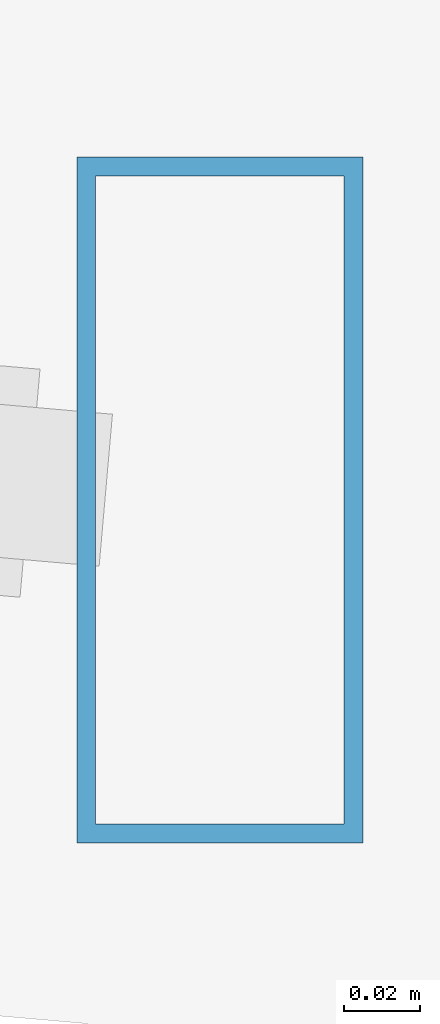
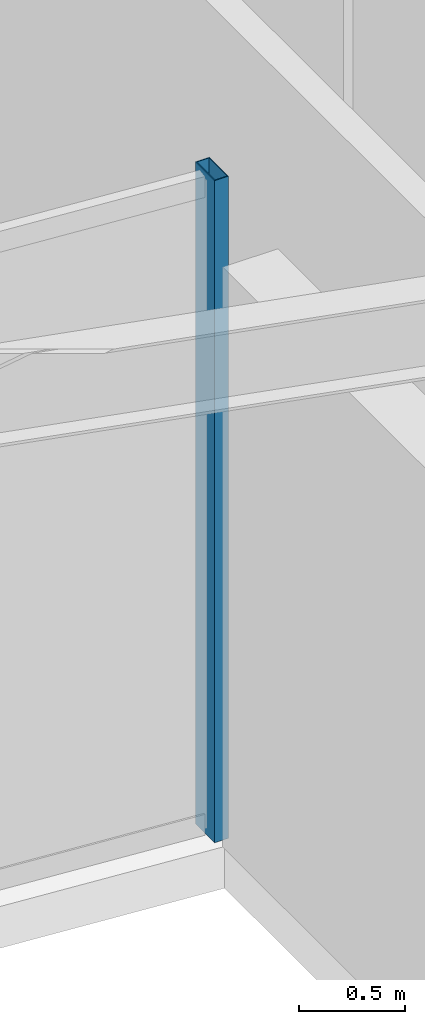
# One storey, part 4 of 25: 1 member, 1 element without a shape of its own.
"""IFC4 building model written with IfcOpenShell, lengths in metres."""

from ifc_helpers import new_model, si_unit, direction, frame, origin, origin_2d, place, context, subcontext, project, spatial, hollow_rectangle, extrude, material, layer, layer_set, material_profile, profile_set, type_object, element, aggregate, save


model = new_model("IFC4")

# Units and contexts
model_context = context("Model", 3, precision=1e-05, world=origin(), true_north=direction((0.0, 1.0)))
body_context = subcontext(model_context, "Body", "Model", "MODEL_VIEW")
ifc_project = project(units=[si_unit("LENGTHUNIT", "METRE"), si_unit("AREAUNIT", "SQUARE_METRE"), si_unit("VOLUMEUNIT", "CUBIC_METRE"), si_unit("PLANEANGLEUNIT", "RADIAN"), si_unit("MASSUNIT", "GRAM", prefix="KILO")], contexts=[model_context])

# Site, building, storey
site_placement = place(None, origin())
site = spatial("IfcSite", under=ifc_project, at=site_placement, CompositionType="ELEMENT")
building_placement = place(site_placement, origin())
building = spatial("IfcBuilding", under=site, at=building_placement, Name="Veymaron Broadcast Tower", CompositionType="ELEMENT")
storey_placement = place(building_placement, frame((0.0, 0.0, 173.550048828125)))
storey = spatial("IfcBuildingStorey", under=building, at=storey_placement, Name="L40", CompositionType="ELEMENT", Elevation=173.550048828125)

# Curtain wall, member
ifc_material_1 = material(Name="Anodised aluminium AA 6063-T6 and laminated low-E dark glass", Category="aluminium")
ifc_layer = layer(ifc_material_1, 0.179931640625)
ifc_layer_set = layer_set([ifc_layer], Name="Anodised aluminium AA 6063-T6 and laminated low-E dark glass")
curtain_wall_type = type_object("IfcCurtainWallType", Name="CW-SYS-03", PredefinedType="NOTDEFINED", material=ifc_layer_set)
curtain_wall_placement = place(storey_placement, origin())
curtain_wall = element("IfcCurtainWall", 1, at=curtain_wall_placement, inside=storey, type_object=curtain_wall_type, Name="L40 dark-glass curtain wall CW-L40-E14-1", PredefinedType="NOTDEFINED")
ifc_material_2 = material(Name="Anodised aluminium AA 6063-T6", Category="aluminium")
ifc_material_profile = material_profile(ifc_material_2, hollow_rectangle(XDim=0.074951171875, YDim=0.179931640625, WallThickness=0.0048828125, at=origin_2d()), Name="AL180X75X5")
ifc_profile_set = profile_set([ifc_material_profile], Name="Anodised aluminium AA 6063-T6")
member_type = type_object("IfcMemberType", Name="CW-MUL-02", PredefinedType="MULLION", material=ifc_profile_set)
member_placement = place(storey_placement, frame((26.420166015625, 18.50048828125, 0.0), z_axis=(0.0, 0.0, 1.0), x_axis=(1.0, 0.0, 0.0)))
member = element("IfcMember", 2, at=member_placement, type_object=member_type, Name="CW-L40-E14-1 mullion 2", PredefinedType="MULLION", context=body_context, shape_type="SweptSolid", body=[
    extrude(hollow_rectangle(XDim=0.074951171875, YDim=0.179931640625, WallThickness=0.0048828125, at=origin_2d()), origin(), (0.0, 0.0, 1.0), 3.81005859375),
])
aggregate(curtain_wall, [member])

save(model, "model.ifc")
